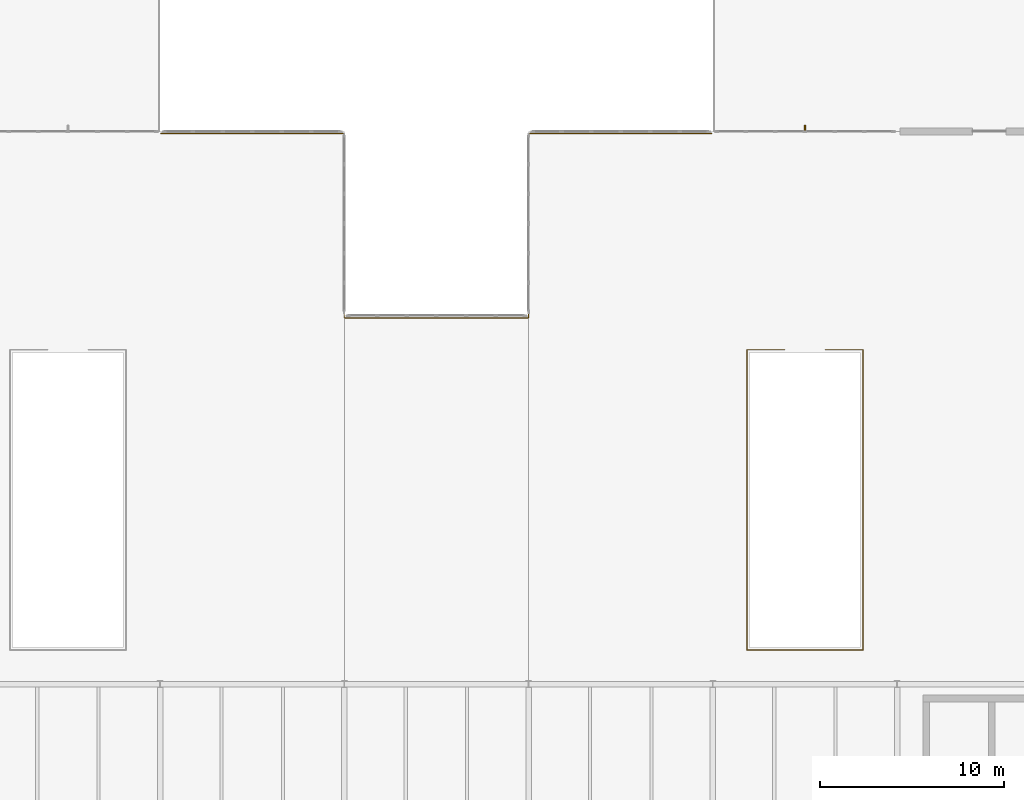
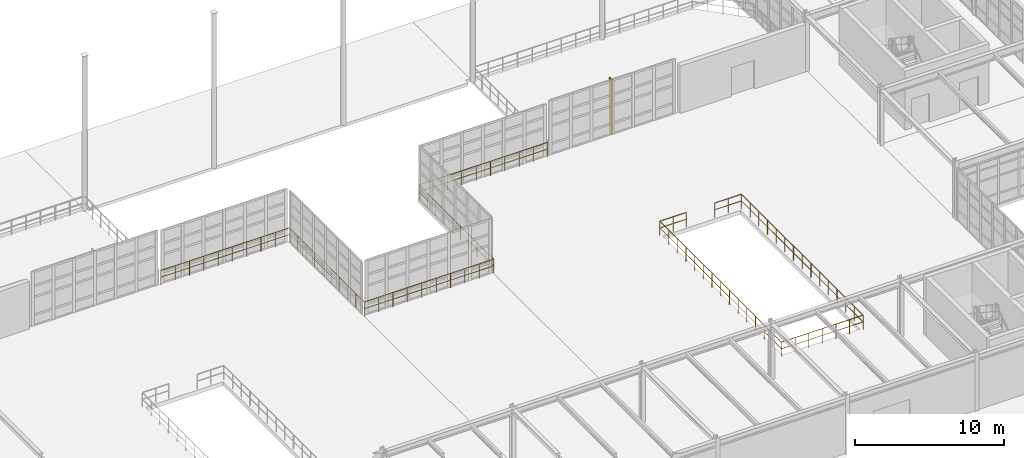
# One storey, part 133 of 139: 2 railings, 1 shading device.
"""IFC4 building model written with IfcOpenShell, lengths in metres."""

from ifc_helpers import new_model, si_unit, direction, frame, origin, origin_2d, place, context, subcontext, project, spatial, rectangle, circle, extrude, material, type_object, element, save


model = new_model("IFC4")

# Units and contexts
model_context = context("Model", 3, precision=1e-05, world=origin(), true_north=direction((0.0, 1.0)))
body_context = subcontext(model_context, "Body", "Model", "MODEL_VIEW")
ifc_project = project(units=[si_unit("LENGTHUNIT", "METRE"), si_unit("AREAUNIT", "SQUARE_METRE"), si_unit("VOLUMEUNIT", "CUBIC_METRE"), si_unit("PLANEANGLEUNIT", "RADIAN"), si_unit("MASSUNIT", "GRAM", prefix="KILO"), si_unit("THERMODYNAMICTEMPERATUREUNIT", "KELVIN"), si_unit("POWERUNIT", "WATT")], contexts=[model_context])

# Site, building, storey
site_placement = place(None, origin())
site = spatial("IfcSite", under=ifc_project, at=site_placement, CompositionType="ELEMENT")
building_placement = place(site_placement, origin())
building = spatial("IfcBuilding", under=site, at=building_placement, Name="Korenveer Ferry Terminal", CompositionType="ELEMENT")
storey_placement = place(building_placement, frame((0.0, 0.0, 5.39990234375)))
storey = spatial("IfcBuildingStorey", under=building, at=storey_placement, Name="L01", CompositionType="ELEMENT", Elevation=5.39990234375)

# Railings
ifc_material_1 = material(Name="Marine stainless and bronze balustrade", Category="aluminium")
railing_type = type_object("IfcRailingType", Name="ENV-RL-BAL120", PredefinedType="BALUSTRADE", material=ifc_material_1)
railing_1_placement = place(storey_placement, frame((106.89990234375, 78.14990234375, 0.0)))
element("IfcRailing", 1, at=railing_1_placement, inside=storey, type_object=railing_type, Name="Atrium and gallery balustrade 10", PredefinedType="BALUSTRADE", context=body_context, shape_type="SweptSolid", body=[
    extrude(circle(Radius=0.02392578125, at=origin_2d()), frame((0.0, 0.0, 1.17578125), z_axis=(-1.0, 0.0, 0.0), x_axis=(0.0, -1.0, 0.0)), (0.0, 0.0, 1.0), 2.0498046875),
    extrude(circle(Radius=0.01806640625, at=origin_2d()), frame((0.0, 0.0, 0.6240234375), z_axis=(-1.0, 0.0, 0.0), x_axis=(0.0, -1.0, 0.0)), (0.0, 0.0, 1.0), 2.0498046875),
    extrude(circle(Radius=0.02392578125, at=origin_2d()), frame((-2.0498046875, 0.0, 1.17578125), z_axis=(0.0, -1.0, 0.0), x_axis=(1.0, 0.0, 0.0)), (0.0, 0.0, 1.0), 16.2998046875),
    extrude(circle(Radius=0.01806640625, at=origin_2d()), frame((-2.0498046875, 0.0, 0.6240234375), z_axis=(0.0, -1.0, 0.0), x_axis=(1.0, 0.0, 0.0)), (0.0, 0.0, 1.0), 16.2998046875),
    extrude(circle(Radius=0.02392578125, at=origin_2d()), frame((-2.0498046875, -16.2998046875, 1.17578125), z_axis=(1.0, 0.0, 0.0), x_axis=(0.0, 1.0, 0.0)), (0.0, 0.0, 1.0), 6.2998046875),
    extrude(circle(Radius=0.01806640625, at=origin_2d()), frame((-2.0498046875, -16.2998046875, 0.6240234375), z_axis=(1.0, 0.0, 0.0), x_axis=(0.0, 1.0, 0.0)), (0.0, 0.0, 1.0), 6.2998046875),
    extrude(circle(Radius=0.02392578125, at=origin_2d()), frame((4.25, -16.2998046875, 1.17578125), z_axis=(0.0, 1.0, 0.0), x_axis=(-1.0, 0.0, 0.0)), (0.0, 0.0, 1.0), 16.2998046875),
    extrude(circle(Radius=0.01806640625, at=origin_2d()), frame((4.25, -16.2998046875, 0.6240234375), z_axis=(0.0, 1.0, 0.0), x_axis=(-1.0, 0.0, 0.0)), (0.0, 0.0, 1.0), 16.2998046875),
    extrude(circle(Radius=0.02392578125, at=origin_2d()), frame((4.25, 0.0, 1.17578125), z_axis=(-1.0, 0.0, 0.0), x_axis=(0.0, -1.0, 0.0)), (0.0, 0.0, 1.0), 2.0498046875),
    extrude(circle(Radius=0.01806640625, at=origin_2d()), frame((4.25, 0.0, 0.6240234375), z_axis=(-1.0, 0.0, 0.0), x_axis=(0.0, -1.0, 0.0)), (0.0, 0.0, 1.0), 2.0498046875),
    extrude(circle(Radius=0.02099609375, at=origin_2d()), origin(), (0.0, 0.0, 1.0), 1.15185546875),
    extrude(circle(Radius=0.02099609375, at=origin_2d()), frame((-1.02490234375, 0.0, 0.0)), (0.0, 0.0, 1.0), 1.15185546875),
    extrude(circle(Radius=0.02099609375, at=origin_2d()), frame((-2.0498046875, 0.0, 0.0)), (0.0, 0.0, 1.0), 1.15185546875),
    extrude(circle(Radius=0.02099609375, at=origin_2d()), frame((-2.0498046875, -1.164306640625, 0.0)), (0.0, 0.0, 1.0), 1.15185546875),
    extrude(circle(Radius=0.02099609375, at=origin_2d()), frame((-2.0498046875, -2.32861328125, 0.0)), (0.0, 0.0, 1.0), 1.15185546875),
    extrude(circle(Radius=0.02099609375, at=origin_2d()), frame((-2.0498046875, -3.492919921875, 0.0)), (0.0, 0.0, 1.0), 1.15185546875),
    extrude(circle(Radius=0.02099609375, at=origin_2d()), frame((-2.0498046875, -4.656982421875, 0.0)), (0.0, 0.0, 1.0), 1.15185546875),
    extrude(circle(Radius=0.02099609375, at=origin_2d()), frame((-2.0498046875, -5.8212890625, 0.0)), (0.0, 0.0, 1.0), 1.15185546875),
    extrude(circle(Radius=0.02099609375, at=origin_2d()), frame((-2.0498046875, -6.985595703125, 0.0)), (0.0, 0.0, 1.0), 1.15185546875),
    extrude(circle(Radius=0.02099609375, at=origin_2d()), frame((-2.0498046875, -8.14990234375, 0.0)), (0.0, 0.0, 1.0), 1.15185546875),
    extrude(circle(Radius=0.02099609375, at=origin_2d()), frame((-2.0498046875, -9.314208984375, 0.0)), (0.0, 0.0, 1.0), 1.15185546875),
    extrude(circle(Radius=0.02099609375, at=origin_2d()), frame((-2.0498046875, -10.478515625, 0.0)), (0.0, 0.0, 1.0), 1.15185546875),
    extrude(circle(Radius=0.02099609375, at=origin_2d()), frame((-2.0498046875, -11.642822265625, 0.0)), (0.0, 0.0, 1.0), 1.15185546875),
    extrude(circle(Radius=0.02099609375, at=origin_2d()), frame((-2.0498046875, -12.806884765625, 0.0)), (0.0, 0.0, 1.0), 1.15185546875),
    extrude(circle(Radius=0.02099609375, at=origin_2d()), frame((-2.0498046875, -13.97119140625, 0.0)), (0.0, 0.0, 1.0), 1.15185546875),
    extrude(circle(Radius=0.02099609375, at=origin_2d()), frame((-2.0498046875, -15.135498046875, 0.0)), (0.0, 0.0, 1.0), 1.15185546875),
    extrude(circle(Radius=0.02099609375, at=origin_2d()), frame((-2.0498046875, -16.2998046875, 0.0)), (0.0, 0.0, 1.0), 1.15185546875),
    extrude(circle(Radius=0.02099609375, at=origin_2d()), frame((-0.999755859375, -16.2998046875, 0.0)), (0.0, 0.0, 1.0), 1.15185546875),
    extrude(circle(Radius=0.02099609375, at=origin_2d()), frame((0.050048828125, -16.2998046875, 0.0)), (0.0, 0.0, 1.0), 1.15185546875),
    extrude(circle(Radius=0.02099609375, at=origin_2d()), frame((1.10009765625, -16.2998046875, 0.0)), (0.0, 0.0, 1.0), 1.15185546875),
    extrude(circle(Radius=0.02099609375, at=origin_2d()), frame((2.150146484375, -16.2998046875, 0.0)), (0.0, 0.0, 1.0), 1.15185546875),
    extrude(circle(Radius=0.02099609375, at=origin_2d()), frame((3.199951171875, -16.2998046875, 0.0)), (0.0, 0.0, 1.0), 1.15185546875),
    extrude(circle(Radius=0.02099609375, at=origin_2d()), frame((4.25, -16.2998046875, 0.0)), (0.0, 0.0, 1.0), 1.15185546875),
    extrude(circle(Radius=0.02099609375, at=origin_2d()), frame((4.25, -15.135498046875, 0.0)), (0.0, 0.0, 1.0), 1.15185546875),
    extrude(circle(Radius=0.02099609375, at=origin_2d()), frame((4.25, -13.97119140625, 0.0)), (0.0, 0.0, 1.0), 1.15185546875),
    extrude(circle(Radius=0.02099609375, at=origin_2d()), frame((4.25, -12.806884765625, 0.0)), (0.0, 0.0, 1.0), 1.15185546875),
    extrude(circle(Radius=0.02099609375, at=origin_2d()), frame((4.25, -11.642822265625, 0.0)), (0.0, 0.0, 1.0), 1.15185546875),
    extrude(circle(Radius=0.02099609375, at=origin_2d()), frame((4.25, -10.478515625, 0.0)), (0.0, 0.0, 1.0), 1.15185546875),
    extrude(circle(Radius=0.02099609375, at=origin_2d()), frame((4.25, -9.314208984375, 0.0)), (0.0, 0.0, 1.0), 1.15185546875),
    extrude(circle(Radius=0.02099609375, at=origin_2d()), frame((4.25, -8.14990234375, 0.0)), (0.0, 0.0, 1.0), 1.15185546875),
    extrude(circle(Radius=0.02099609375, at=origin_2d()), frame((4.25, -6.985595703125, 0.0)), (0.0, 0.0, 1.0), 1.15185546875),
    extrude(circle(Radius=0.02099609375, at=origin_2d()), frame((4.25, -5.8212890625, 0.0)), (0.0, 0.0, 1.0), 1.15185546875),
    extrude(circle(Radius=0.02099609375, at=origin_2d()), frame((4.25, -4.656982421875, 0.0)), (0.0, 0.0, 1.0), 1.15185546875),
    extrude(circle(Radius=0.02099609375, at=origin_2d()), frame((4.25, -3.492919921875, 0.0)), (0.0, 0.0, 1.0), 1.15185546875),
    extrude(circle(Radius=0.02099609375, at=origin_2d()), frame((4.25, -2.32861328125, 0.0)), (0.0, 0.0, 1.0), 1.15185546875),
    extrude(circle(Radius=0.02099609375, at=origin_2d()), frame((4.25, -1.164306640625, 0.0)), (0.0, 0.0, 1.0), 1.15185546875),
    extrude(circle(Radius=0.02099609375, at=origin_2d()), frame((4.25, 0.0, 0.0)), (0.0, 0.0, 1.0), 1.15185546875),
    extrude(circle(Radius=0.02099609375, at=origin_2d()), frame((3.22509765625, 0.0, 0.0)), (0.0, 0.0, 1.0), 1.15185546875),
    extrude(circle(Radius=0.02099609375, at=origin_2d()), frame((2.2001953125, 0.0, 0.0)), (0.0, 0.0, 1.0), 1.15185546875),
])
railing_2_placement = place(storey_placement, frame((73.050048828125, 89.8798828125, 0.0)))
element("IfcRailing", 2, at=railing_2_placement, inside=storey, type_object=railing_type, Name="Atrium and gallery balustrade 11", PredefinedType="BALUSTRADE", context=body_context, shape_type="SweptSolid", body=[
    extrude(circle(Radius=0.02392578125, at=origin_2d()), frame((0.0, 0.0, 1.17578125), z_axis=(1.0, 0.0, 0.0), x_axis=(0.0, 1.0, 0.0)), (0.0, 0.0, 1.0), 9.949951171875),
    extrude(circle(Radius=0.01806640625, at=origin_2d()), frame((0.0, 0.0, 0.6240234375), z_axis=(1.0, 0.0, 0.0), x_axis=(0.0, 1.0, 0.0)), (0.0, 0.0, 1.0), 9.949951171875),
    extrude(circle(Radius=0.02392578125, at=origin_2d()), frame((9.949951171875, 0.0, 1.17578125), z_axis=(0.0, -1.0, 0.0), x_axis=(1.0, 0.0, 0.0)), (0.0, 0.0, 1.0), 10.0),
    extrude(circle(Radius=0.01806640625, at=origin_2d()), frame((9.949951171875, 0.0, 0.6240234375), z_axis=(0.0, -1.0, 0.0), x_axis=(1.0, 0.0, 0.0)), (0.0, 0.0, 1.0), 10.0),
    extrude(circle(Radius=0.02392578125, at=origin_2d()), frame((9.949951171875, -10.0, 1.17578125), z_axis=(1.0, 0.0, 0.0), x_axis=(0.0, 1.0, 0.0)), (0.0, 0.0, 1.0), 10.0),
    extrude(circle(Radius=0.01806640625, at=origin_2d()), frame((9.949951171875, -10.0, 0.6240234375), z_axis=(1.0, 0.0, 0.0), x_axis=(0.0, 1.0, 0.0)), (0.0, 0.0, 1.0), 10.0),
    extrude(circle(Radius=0.02392578125, at=origin_2d()), frame((19.949951171875, -10.0, 1.17578125), z_axis=(0.0, 1.0, 0.0), x_axis=(-1.0, 0.0, 0.0)), (0.0, 0.0, 1.0), 10.0),
    extrude(circle(Radius=0.01806640625, at=origin_2d()), frame((19.949951171875, -10.0, 0.6240234375), z_axis=(0.0, 1.0, 0.0), x_axis=(-1.0, 0.0, 0.0)), (0.0, 0.0, 1.0), 10.0),
    extrude(circle(Radius=0.02392578125, at=origin_2d()), frame((19.949951171875, 0.0, 1.17578125), z_axis=(1.0, 0.0, 0.0), x_axis=(0.0, 1.0, 0.0)), (0.0, 0.0, 1.0), 9.949951171875),
    extrude(circle(Radius=0.01806640625, at=origin_2d()), frame((19.949951171875, 0.0, 0.6240234375), z_axis=(1.0, 0.0, 0.0), x_axis=(0.0, 1.0, 0.0)), (0.0, 0.0, 1.0), 9.949951171875),
    extrude(circle(Radius=0.02099609375, at=origin_2d()), origin(), (0.0, 0.0, 1.0), 1.15185546875),
    extrude(circle(Radius=0.02099609375, at=origin_2d()), frame((1.10546875, 0.0, 0.0)), (0.0, 0.0, 1.0), 1.15185546875),
    extrude(circle(Radius=0.02099609375, at=origin_2d()), frame((2.211181640625, 0.0, 0.0)), (0.0, 0.0, 1.0), 1.15185546875),
    extrude(circle(Radius=0.02099609375, at=origin_2d()), frame((3.316650390625, 0.0, 0.0)), (0.0, 0.0, 1.0), 1.15185546875),
    extrude(circle(Radius=0.02099609375, at=origin_2d()), frame((4.422119140625, 0.0, 0.0)), (0.0, 0.0, 1.0), 1.15185546875),
    extrude(circle(Radius=0.02099609375, at=origin_2d()), frame((5.52783203125, 0.0, 0.0)), (0.0, 0.0, 1.0), 1.15185546875),
    extrude(circle(Radius=0.02099609375, at=origin_2d()), frame((6.63330078125, 0.0, 0.0)), (0.0, 0.0, 1.0), 1.15185546875),
    extrude(circle(Radius=0.02099609375, at=origin_2d()), frame((7.73876953125, 0.0, 0.0)), (0.0, 0.0, 1.0), 1.15185546875),
    extrude(circle(Radius=0.02099609375, at=origin_2d()), frame((8.844482421875, 0.0, 0.0)), (0.0, 0.0, 1.0), 1.15185546875),
    extrude(circle(Radius=0.02099609375, at=origin_2d()), frame((9.949951171875, 0.0, 0.0)), (0.0, 0.0, 1.0), 1.15185546875),
    extrude(circle(Radius=0.02099609375, at=origin_2d()), frame((9.949951171875, -1.111083984375, 0.0)), (0.0, 0.0, 1.0), 1.15185546875),
    extrude(circle(Radius=0.02099609375, at=origin_2d()), frame((9.949951171875, -2.22216796875, 0.0)), (0.0, 0.0, 1.0), 1.15185546875),
    extrude(circle(Radius=0.02099609375, at=origin_2d()), frame((9.949951171875, -3.333251953125, 0.0)), (0.0, 0.0, 1.0), 1.15185546875),
    extrude(circle(Radius=0.02099609375, at=origin_2d()), frame((9.949951171875, -4.4443359375, 0.0)), (0.0, 0.0, 1.0), 1.15185546875),
    extrude(circle(Radius=0.02099609375, at=origin_2d()), frame((9.949951171875, -5.5556640625, 0.0)), (0.0, 0.0, 1.0), 1.15185546875),
    extrude(circle(Radius=0.02099609375, at=origin_2d()), frame((9.949951171875, -6.666748046875, 0.0)), (0.0, 0.0, 1.0), 1.15185546875),
    extrude(circle(Radius=0.02099609375, at=origin_2d()), frame((9.949951171875, -7.77783203125, 0.0)), (0.0, 0.0, 1.0), 1.15185546875),
    extrude(circle(Radius=0.02099609375, at=origin_2d()), frame((9.949951171875, -8.888916015625, 0.0)), (0.0, 0.0, 1.0), 1.15185546875),
    extrude(circle(Radius=0.02099609375, at=origin_2d()), frame((9.949951171875, -10.0, 0.0)), (0.0, 0.0, 1.0), 1.15185546875),
    extrude(circle(Radius=0.02099609375, at=origin_2d()), frame((11.06103515625, -10.0, 0.0)), (0.0, 0.0, 1.0), 1.15185546875),
    extrude(circle(Radius=0.02099609375, at=origin_2d()), frame((12.172119140625, -10.0, 0.0)), (0.0, 0.0, 1.0), 1.15185546875),
    extrude(circle(Radius=0.02099609375, at=origin_2d()), frame((13.283203125, -10.0, 0.0)), (0.0, 0.0, 1.0), 1.15185546875),
    extrude(circle(Radius=0.02099609375, at=origin_2d()), frame((14.394287109375, -10.0, 0.0)), (0.0, 0.0, 1.0), 1.15185546875),
    extrude(circle(Radius=0.02099609375, at=origin_2d()), frame((15.505615234375, -10.0, 0.0)), (0.0, 0.0, 1.0), 1.15185546875),
    extrude(circle(Radius=0.02099609375, at=origin_2d()), frame((16.61669921875, -10.0, 0.0)), (0.0, 0.0, 1.0), 1.15185546875),
    extrude(circle(Radius=0.02099609375, at=origin_2d()), frame((17.727783203125, -10.0, 0.0)), (0.0, 0.0, 1.0), 1.15185546875),
    extrude(circle(Radius=0.02099609375, at=origin_2d()), frame((18.8388671875, -10.0, 0.0)), (0.0, 0.0, 1.0), 1.15185546875),
    extrude(circle(Radius=0.02099609375, at=origin_2d()), frame((19.949951171875, -10.0, 0.0)), (0.0, 0.0, 1.0), 1.15185546875),
    extrude(circle(Radius=0.02099609375, at=origin_2d()), frame((19.949951171875, -8.888916015625, 0.0)), (0.0, 0.0, 1.0), 1.15185546875),
    extrude(circle(Radius=0.02099609375, at=origin_2d()), frame((19.949951171875, -7.77783203125, 0.0)), (0.0, 0.0, 1.0), 1.15185546875),
    extrude(circle(Radius=0.02099609375, at=origin_2d()), frame((19.949951171875, -6.666748046875, 0.0)), (0.0, 0.0, 1.0), 1.15185546875),
    extrude(circle(Radius=0.02099609375, at=origin_2d()), frame((19.949951171875, -5.5556640625, 0.0)), (0.0, 0.0, 1.0), 1.15185546875),
    extrude(circle(Radius=0.02099609375, at=origin_2d()), frame((19.949951171875, -4.4443359375, 0.0)), (0.0, 0.0, 1.0), 1.15185546875),
    extrude(circle(Radius=0.02099609375, at=origin_2d()), frame((19.949951171875, -3.333251953125, 0.0)), (0.0, 0.0, 1.0), 1.15185546875),
    extrude(circle(Radius=0.02099609375, at=origin_2d()), frame((19.949951171875, -2.22216796875, 0.0)), (0.0, 0.0, 1.0), 1.15185546875),
    extrude(circle(Radius=0.02099609375, at=origin_2d()), frame((19.949951171875, -1.111083984375, 0.0)), (0.0, 0.0, 1.0), 1.15185546875),
    extrude(circle(Radius=0.02099609375, at=origin_2d()), frame((19.949951171875, 0.0, 0.0)), (0.0, 0.0, 1.0), 1.15185546875),
    extrude(circle(Radius=0.02099609375, at=origin_2d()), frame((21.055419921875, 0.0, 0.0)), (0.0, 0.0, 1.0), 1.15185546875),
    extrude(circle(Radius=0.02099609375, at=origin_2d()), frame((22.1611328125, 0.0, 0.0)), (0.0, 0.0, 1.0), 1.15185546875),
    extrude(circle(Radius=0.02099609375, at=origin_2d()), frame((23.2666015625, 0.0, 0.0)), (0.0, 0.0, 1.0), 1.15185546875),
    extrude(circle(Radius=0.02099609375, at=origin_2d()), frame((24.3720703125, 0.0, 0.0)), (0.0, 0.0, 1.0), 1.15185546875),
    extrude(circle(Radius=0.02099609375, at=origin_2d()), frame((25.477783203125, 0.0, 0.0)), (0.0, 0.0, 1.0), 1.15185546875),
    extrude(circle(Radius=0.02099609375, at=origin_2d()), frame((26.583251953125, 0.0, 0.0)), (0.0, 0.0, 1.0), 1.15185546875),
    extrude(circle(Radius=0.02099609375, at=origin_2d()), frame((27.688720703125, 0.0, 0.0)), (0.0, 0.0, 1.0), 1.15185546875),
    extrude(circle(Radius=0.02099609375, at=origin_2d()), frame((28.79443359375, 0.0, 0.0)), (0.0, 0.0, 1.0), 1.15185546875),
    extrude(circle(Radius=0.02099609375, at=origin_2d()), frame((29.89990234375, 0.0, 0.0)), (0.0, 0.0, 1.0), 1.15185546875),
])

# Shading device
ifc_material_2 = material(Name="Anodised bronze aluminium solar fin", Category="aluminium")
shading_device_type = type_object("IfcShadingDeviceType", Name="ENV-SHD-FIN", PredefinedType="JALOUSIE", material=ifc_material_2)
shading_device_placement = place(storey_placement, frame((108.0, 90.159912109375, -0.019775390625), z_axis=(0.0, 0.0, 1.0), x_axis=(0.0, 1.0, 0.0)))
element("IfcShadingDevice", 3, at=shading_device_placement, inside=storey, type_object=shading_device_type, Name="Gothic solar fin 25", PredefinedType="JALOUSIE", context=body_context, shape_type="SweptSolid", body=[
    extrude(rectangle(XDim=0.360107421875, YDim=0.080078125, at=origin_2d()), origin(), (0.0, 0.0, 1.0), 4.47998046875),
])

save(model, "model.ifc")
